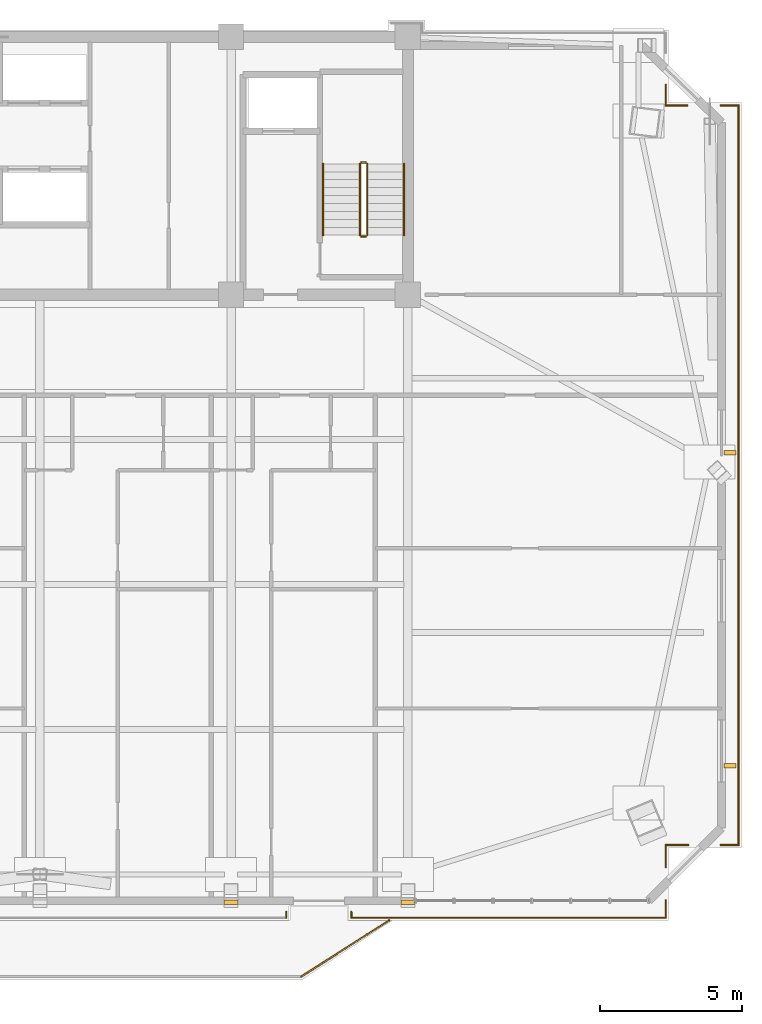
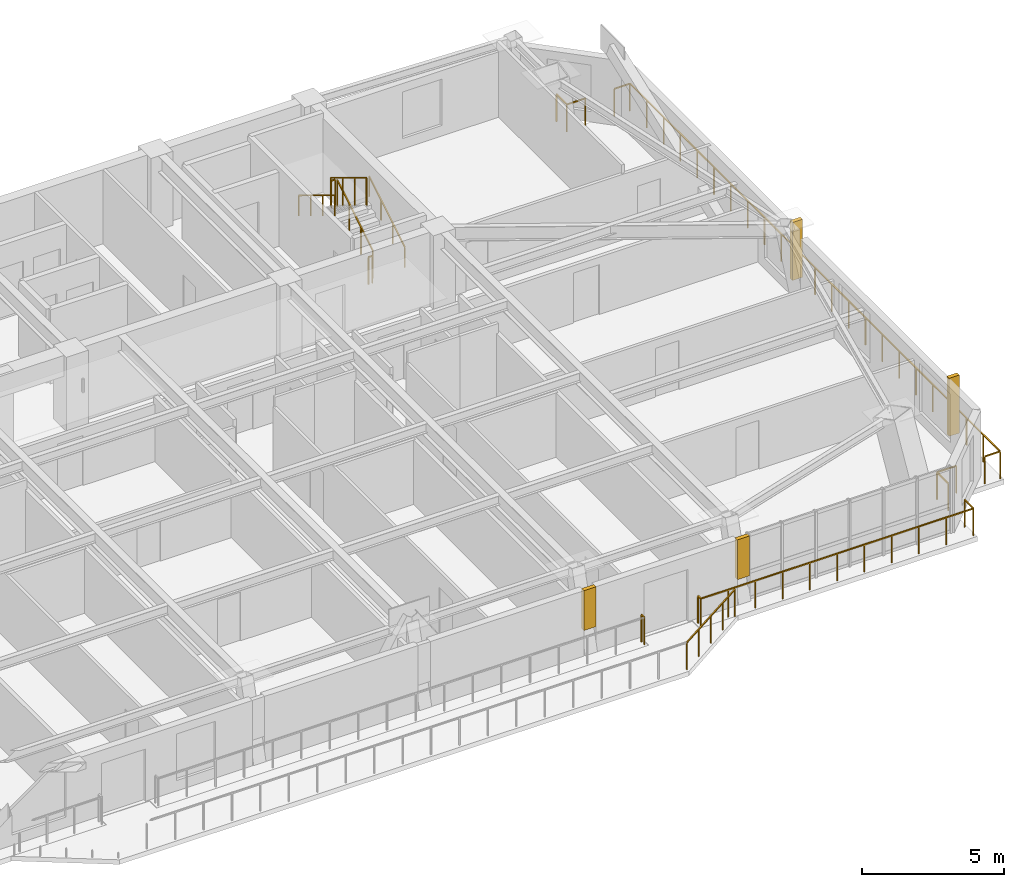
# One storey, part 17 of 18: 18 railings, 2 coverings, 2 shading devices.
"""IFC4 building model written with IfcOpenShell, lengths in metres."""

from ifc_helpers import new_model, si_unit, direction, frame, origin, origin_2d, place, context, subcontext, project, spatial, polyline, rectangle, outline, extrude, source, transform, mapped, material, layer, layer_set, type_object, element, save


model = new_model("IFC4")

# Units and contexts
model_context = context("Model", 3, precision=1e-05, world=origin(), true_north=direction((0.0, 1.0)))
body_context = subcontext(model_context, "Body", "Model", "MODEL_VIEW")
ifc_project = project(units=[si_unit("LENGTHUNIT", "METRE"), si_unit("AREAUNIT", "SQUARE_METRE"), si_unit("VOLUMEUNIT", "CUBIC_METRE"), si_unit("PLANEANGLEUNIT", "RADIAN"), si_unit("MASSUNIT", "GRAM", prefix="KILO")], contexts=[model_context])

# Site, building, storey
site_placement = place(None, origin())
site = spatial("IfcSite", under=ifc_project, at=site_placement, CompositionType="ELEMENT")
building_placement = place(site_placement, origin())
building = spatial("IfcBuilding", under=site, at=building_placement, Name="Giltprow Tower", CompositionType="ELEMENT")
storey_placement = place(building_placement, frame((0.0, 0.0, 265.5)))
storey = spatial("IfcBuildingStorey", under=building, at=storey_placement, Name="L68", CompositionType="ELEMENT", Elevation=265.5)

# Coverings
ifc_material = material(Name="Anodized bronze", Category="metal")
ifc_layer = layer(ifc_material, 0.0400390625, Name="Anodized bronze")
ifc_layer_set = layer_set([ifc_layer], Name="Anodized bronze")
covering_type = type_object("IfcCoveringType", Name="COV-SOFFIT-BRONZE", PredefinedType="CLADDING", material=ifc_layer_set)
covering_1_placement = place(storey_placement, frame((0.0, 0.0, 1.10009765625)))
element("IfcCovering", 1, at=covering_1_placement, inside=storey, type_object=covering_type, Name="L68 Setback Pier Closure Cladding S-4", PredefinedType="CLADDING", context=body_context, shape_type="SweptSolid", body=[
    extrude(outline(polyline([(44.050048828125, 15.905029296875), (44.550048828125, 15.905029296875), (44.550048828125, 16.06494140625), (44.050048828125, 16.06494140625), (44.050048828125, 15.905029296875)])), origin(), (0.0, 0.0, 1.0), 1.71484375),
])
covering_2_placement = place(storey_placement, frame((0.0, 0.0, 1.10009765625)))
element("IfcCovering", 2, at=covering_2_placement, inside=storey, type_object=covering_type, Name="L68 Setback Pier Closure Cladding S-5", PredefinedType="CLADDING", context=body_context, shape_type="SweptSolid", body=[
    extrude(outline(polyline([(50.300048828125, 15.905029296875), (50.800048828125, 15.905029296875), (50.800048828125, 16.06494140625), (50.300048828125, 16.06494140625), (50.300048828125, 15.905029296875)])), origin(), (0.0, 0.0, 1.0), 1.71484375),
])

# Railings
railing_type_1 = type_object("IfcRailingType", Name="RAIL-BALC-GUARD-1200", PredefinedType="BALUSTRADE", material=ifc_material)
railing_1_placement = place(storey_placement, frame((46.780029296875, 13.364990234375, 0.0)))
element("IfcRailing", 3, at=railing_1_placement, inside=storey, type_object=railing_type_1, Name="L68 Waterfront Balcony Balustrade Seg 3", PredefinedType="BALUSTRADE", context=body_context, shape_type="SweptSolid", body=[
    extrude(rectangle(XDim=0.048095703125, YDim=0.048095703125, at=origin_2d()), frame((0.0, 0.0, 1.17578125), z_axis=(0.842755646126, 0.538296313309, 0.0), x_axis=(-0.538296313309, 0.842755646126, 0.0)), (0.0, 0.0, 1.0), 3.67822265625),
    extrude(rectangle(XDim=0.0419921875, YDim=0.0419921875, at=origin_2d()), origin(), (0.0, 0.0, 1.0), 1.15185546875),
    extrude(rectangle(XDim=0.0419921875, YDim=0.0419921875, at=origin_2d()), frame((0.77490234375, 0.4951171875, 0.0)), (0.0, 0.0, 1.0), 1.15185546875),
    extrude(rectangle(XDim=0.0419921875, YDim=0.0419921875, at=origin_2d()), frame((1.5498046875, 0.989990234375, 0.0)), (0.0, 0.0, 1.0), 1.15185546875),
    extrude(rectangle(XDim=0.0419921875, YDim=0.0419921875, at=origin_2d()), frame((2.324951171875, 1.48486328125, 0.0)), (0.0, 0.0, 1.0), 1.15185546875),
    extrude(rectangle(XDim=0.0419921875, YDim=0.0419921875, at=origin_2d()), frame((3.099853515625, 1.97998046875, 0.0)), (0.0, 0.0, 1.0), 1.15185546875),
])
railing_2_placement = place(storey_placement, frame((62.221923828125, 44.1298828125, 0.0)))
element("IfcRailing", 4, at=railing_2_placement, inside=storey, type_object=railing_type_1, Name="L68 Corner Apron Edge Balustrade 1", PredefinedType="BALUSTRADE", context=body_context, shape_type="SweptSolid", body=[
    extrude(rectangle(XDim=0.048095703125, YDim=0.048095703125, at=origin_2d()), frame((0.0, 0.0, 1.17578125), z_axis=(0.0, -1.0, 0.0), x_axis=(1.0, 0.0, 0.0)), (0.0, 0.0, 1.0), 26.116943359375),
    extrude(rectangle(XDim=0.0419921875, YDim=0.0419921875, at=origin_2d()), origin(), (0.0, 0.0, 1.0), 1.15185546875),
    extrude(rectangle(XDim=0.0419921875, YDim=0.0419921875, at=origin_2d()), frame((0.0, -1.18701171875, 0.0)), (0.0, 0.0, 1.0), 1.15185546875),
    extrude(rectangle(XDim=0.0419921875, YDim=0.0419921875, at=origin_2d()), frame((0.0, -2.374267578125, 0.0)), (0.0, 0.0, 1.0), 1.15185546875),
    extrude(rectangle(XDim=0.0419921875, YDim=0.0419921875, at=origin_2d()), frame((0.0, -3.561279296875, 0.0)), (0.0, 0.0, 1.0), 1.15185546875),
    extrude(rectangle(XDim=0.0419921875, YDim=0.0419921875, at=origin_2d()), frame((0.0, -4.74853515625, 0.0)), (0.0, 0.0, 1.0), 1.15185546875),
    extrude(rectangle(XDim=0.0419921875, YDim=0.0419921875, at=origin_2d()), frame((0.0, -5.935546875, 0.0)), (0.0, 0.0, 1.0), 1.15185546875),
    extrude(rectangle(XDim=0.0419921875, YDim=0.0419921875, at=origin_2d()), frame((0.0, -7.122802734375, 0.0)), (0.0, 0.0, 1.0), 1.15185546875),
    extrude(rectangle(XDim=0.0419921875, YDim=0.0419921875, at=origin_2d()), frame((0.0, -8.31005859375, 0.0)), (0.0, 0.0, 1.0), 1.15185546875),
    extrude(rectangle(XDim=0.0419921875, YDim=0.0419921875, at=origin_2d()), frame((0.0, -9.4970703125, 0.0)), (0.0, 0.0, 1.0), 1.15185546875),
    extrude(rectangle(XDim=0.0419921875, YDim=0.0419921875, at=origin_2d()), frame((0.0, -10.68408203125, 0.0)), (0.0, 0.0, 1.0), 1.15185546875),
    extrude(rectangle(XDim=0.0419921875, YDim=0.0419921875, at=origin_2d()), frame((0.0, -11.871337890625, 0.0)), (0.0, 0.0, 1.0), 1.15185546875),
    extrude(rectangle(XDim=0.0419921875, YDim=0.0419921875, at=origin_2d()), frame((0.0, -13.05859375, 0.0)), (0.0, 0.0, 1.0), 1.15185546875),
    extrude(rectangle(XDim=0.0419921875, YDim=0.0419921875, at=origin_2d()), frame((0.0, -14.24560546875, 0.0)), (0.0, 0.0, 1.0), 1.15185546875),
    extrude(rectangle(XDim=0.0419921875, YDim=0.0419921875, at=origin_2d()), frame((0.0, -15.4326171875, 0.0)), (0.0, 0.0, 1.0), 1.15185546875),
    extrude(rectangle(XDim=0.0419921875, YDim=0.0419921875, at=origin_2d()), frame((0.0, -16.619873046875, 0.0)), (0.0, 0.0, 1.0), 1.15185546875),
    extrude(rectangle(XDim=0.0419921875, YDim=0.0419921875, at=origin_2d()), frame((0.0, -17.80712890625, 0.0)), (0.0, 0.0, 1.0), 1.15185546875),
    extrude(rectangle(XDim=0.0419921875, YDim=0.0419921875, at=origin_2d()), frame((0.0, -18.994140625, 0.0)), (0.0, 0.0, 1.0), 1.15185546875),
    extrude(rectangle(XDim=0.0419921875, YDim=0.0419921875, at=origin_2d()), frame((0.0, -20.18115234375, 0.0)), (0.0, 0.0, 1.0), 1.15185546875),
    extrude(rectangle(XDim=0.0419921875, YDim=0.0419921875, at=origin_2d()), frame((0.0, -21.368408203125, 0.0)), (0.0, 0.0, 1.0), 1.15185546875),
    extrude(rectangle(XDim=0.0419921875, YDim=0.0419921875, at=origin_2d()), frame((0.0, -22.5556640625, 0.0)), (0.0, 0.0, 1.0), 1.15185546875),
    extrude(rectangle(XDim=0.0419921875, YDim=0.0419921875, at=origin_2d()), frame((0.0, -23.74267578125, 0.0)), (0.0, 0.0, 1.0), 1.15185546875),
    extrude(rectangle(XDim=0.0419921875, YDim=0.0419921875, at=origin_2d()), frame((0.0, -24.9296875, 0.0)), (0.0, 0.0, 1.0), 1.15185546875),
    extrude(rectangle(XDim=0.0419921875, YDim=0.0419921875, at=origin_2d()), frame((0.0, -26.116943359375, 0.0)), (0.0, 0.0, 1.0), 1.15185546875),
])
railing_3_placement = place(storey_placement, frame((62.221923828125, 18.012939453125, 0.0)))
element("IfcRailing", 5, at=railing_3_placement, inside=storey, type_object=railing_type_1, Name="L68 Corner Apron Edge Balustrade 2", PredefinedType="BALUSTRADE", context=body_context, shape_type="SweptSolid", body=[
    extrude(rectangle(XDim=0.048095703125, YDim=0.048095703125, at=origin_2d()), frame((0.0, 0.0, 1.17578125), z_axis=(-1.0, 0.0, 0.0), x_axis=(0.0, -1.0, 0.0)), (0.0, 0.0, 1.0), 0.620849609375),
    extrude(rectangle(XDim=0.0419921875, YDim=0.0419921875, at=origin_2d()), origin(), (0.0, 0.0, 1.0), 1.15185546875),
    extrude(rectangle(XDim=0.0419921875, YDim=0.0419921875, at=origin_2d()), frame((-0.620849609375, 0.0, 0.0)), (0.0, 0.0, 1.0), 1.15185546875),
])
railing_4_placement = place(storey_placement, frame((60.44091796875, 18.012939453125, 0.0)))
element("IfcRailing", 6, at=railing_4_placement, inside=storey, type_object=railing_type_1, Name="L68 Corner Apron Edge Balustrade 3", PredefinedType="BALUSTRADE", context=body_context, shape_type="SweptSolid", body=[
    extrude(rectangle(XDim=0.048095703125, YDim=0.048095703125, at=origin_2d()), frame((0.0, 0.0, 1.17578125), z_axis=(-1.0, 0.0, 0.0), x_axis=(0.0, -1.0, 0.0)), (0.0, 0.0, 1.0), 0.788818359375),
    extrude(rectangle(XDim=0.0419921875, YDim=0.0419921875, at=origin_2d()), origin(), (0.0, 0.0, 1.0), 1.15185546875),
    extrude(rectangle(XDim=0.0419921875, YDim=0.0419921875, at=origin_2d()), frame((-0.788818359375, 0.0, 0.0)), (0.0, 0.0, 1.0), 1.15185546875),
])
railing_5_placement = place(storey_placement, frame((59.652099609375, 18.012939453125, 0.0)))
element("IfcRailing", 7, at=railing_5_placement, inside=storey, type_object=railing_type_1, Name="L68 Corner Apron Edge Balustrade 4", PredefinedType="BALUSTRADE", context=body_context, shape_type="SweptSolid", body=[
    extrude(rectangle(XDim=0.048095703125, YDim=0.048095703125, at=origin_2d()), frame((0.0, 0.0, 1.17578125), z_axis=(0.0, -1.0, 0.0), x_axis=(1.0, 0.0, 0.0)), (0.0, 0.0, 1.0), 0.788818359375),
    extrude(rectangle(XDim=0.0419921875, YDim=0.0419921875, at=origin_2d()), origin(), (0.0, 0.0, 1.0), 1.15185546875),
    extrude(rectangle(XDim=0.0419921875, YDim=0.0419921875, at=origin_2d()), frame((0.0, -0.788818359375, 0.0)), (0.0, 0.0, 1.0), 1.15185546875),
])
railing_6_placement = place(storey_placement, frame((59.652099609375, 16.06396484375, 0.0)))
element("IfcRailing", 8, at=railing_6_placement, inside=storey, type_object=railing_type_1, Name="L68 Corner Apron Edge Balustrade 5", PredefinedType="BALUSTRADE", context=body_context, shape_type="SweptSolid", body=[
    extrude(rectangle(XDim=0.048095703125, YDim=0.048095703125, at=origin_2d()), frame((0.0, 0.0, 1.17578125), z_axis=(0.0, -1.0, 0.0), x_axis=(1.0, 0.0, 0.0)), (0.0, 0.0, 1.0), 0.618896484375),
    extrude(rectangle(XDim=0.0419921875, YDim=0.0419921875, at=origin_2d()), origin(), (0.0, 0.0, 1.0), 1.15185546875),
    extrude(rectangle(XDim=0.0419921875, YDim=0.0419921875, at=origin_2d()), frame((0.0, -0.618896484375, 0.0)), (0.0, 0.0, 1.0), 1.15185546875),
])
railing_7_placement = place(storey_placement, frame((59.652099609375, 15.445068359375, 0.0)))
element("IfcRailing", 9, at=railing_7_placement, inside=storey, type_object=railing_type_1, Name="L68 Corner Apron Edge Balustrade 6", PredefinedType="BALUSTRADE", context=body_context, shape_type="SweptSolid", body=[
    extrude(rectangle(XDim=0.048095703125, YDim=0.048095703125, at=origin_2d()), frame((0.0, 0.0, 1.17578125), z_axis=(-1.0, 0.0, 0.0), x_axis=(0.0, -1.0, 0.0)), (0.0, 0.0, 1.0), 11.10205078125),
    extrude(rectangle(XDim=0.0419921875, YDim=0.0419921875, at=origin_2d()), origin(), (0.0, 0.0, 1.0), 1.15185546875),
    extrude(rectangle(XDim=0.0419921875, YDim=0.0419921875, at=origin_2d()), frame((-1.110107421875, 0.0, 0.0)), (0.0, 0.0, 1.0), 1.15185546875),
    extrude(rectangle(XDim=0.0419921875, YDim=0.0419921875, at=origin_2d()), frame((-2.220458984375, 0.0, 0.0)), (0.0, 0.0, 1.0), 1.15185546875),
    extrude(rectangle(XDim=0.0419921875, YDim=0.0419921875, at=origin_2d()), frame((-3.33056640625, 0.0, 0.0)), (0.0, 0.0, 1.0), 1.15185546875),
    extrude(rectangle(XDim=0.0419921875, YDim=0.0419921875, at=origin_2d()), frame((-4.44091796875, 0.0, 0.0)), (0.0, 0.0, 1.0), 1.15185546875),
    extrude(rectangle(XDim=0.0419921875, YDim=0.0419921875, at=origin_2d()), frame((-5.551025390625, 0.0, 0.0)), (0.0, 0.0, 1.0), 1.15185546875),
    extrude(rectangle(XDim=0.0419921875, YDim=0.0419921875, at=origin_2d()), frame((-6.6611328125, 0.0, 0.0)), (0.0, 0.0, 1.0), 1.15185546875),
    extrude(rectangle(XDim=0.0419921875, YDim=0.0419921875, at=origin_2d()), frame((-7.771484375, 0.0, 0.0)), (0.0, 0.0, 1.0), 1.15185546875),
    extrude(rectangle(XDim=0.0419921875, YDim=0.0419921875, at=origin_2d()), frame((-8.881591796875, 0.0, 0.0)), (0.0, 0.0, 1.0), 1.15185546875),
    extrude(rectangle(XDim=0.0419921875, YDim=0.0419921875, at=origin_2d()), frame((-9.991943359375, 0.0, 0.0)), (0.0, 0.0, 1.0), 1.15185546875),
    extrude(rectangle(XDim=0.0419921875, YDim=0.0419921875, at=origin_2d()), frame((-11.10205078125, 0.0, 0.0)), (0.0, 0.0, 1.0), 1.15185546875),
])
railing_8_placement = place(storey_placement, frame((48.550048828125, 15.445068359375, 0.0)))
element("IfcRailing", 10, at=railing_8_placement, inside=storey, type_object=railing_type_1, Name="L68 Corner Apron Edge Balustrade 7", PredefinedType="BALUSTRADE", context=body_context, shape_type="SweptSolid", body=[
    extrude(rectangle(XDim=0.048095703125, YDim=0.048095703125, at=origin_2d()), frame((0.0, 0.0, 1.17578125), z_axis=(0.0, 1.0, 0.0), x_axis=(-1.0, 0.0, 0.0)), (0.0, 0.0, 1.0), 0.199951171875),
    extrude(rectangle(XDim=0.0419921875, YDim=0.0419921875, at=origin_2d()), origin(), (0.0, 0.0, 1.0), 1.15185546875),
    extrude(rectangle(XDim=0.0419921875, YDim=0.0419921875, at=origin_2d()), frame((0.0, 0.199951171875, 0.0)), (0.0, 0.0, 1.0), 1.15185546875),
])
railing_9_placement = place(storey_placement, frame((46.25, 15.64501953125, 0.0)))
element("IfcRailing", 11, at=railing_9_placement, inside=storey, type_object=railing_type_1, Name="L68 Corner Apron Edge Balustrade 8", PredefinedType="BALUSTRADE", context=body_context, shape_type="SweptSolid", body=[
    extrude(rectangle(XDim=0.048095703125, YDim=0.048095703125, at=origin_2d()), frame((0.0, 0.0, 1.17578125), z_axis=(0.0, -1.0, 0.0), x_axis=(1.0, 0.0, 0.0)), (0.0, 0.0, 1.0), 0.199951171875),
    extrude(rectangle(XDim=0.0419921875, YDim=0.0419921875, at=origin_2d()), origin(), (0.0, 0.0, 1.0), 1.15185546875),
    extrude(rectangle(XDim=0.0419921875, YDim=0.0419921875, at=origin_2d()), frame((0.0, -0.199951171875, 0.0)), (0.0, 0.0, 1.0), 1.15185546875),
])
railing_10_placement = place(storey_placement, frame((59.652099609375, 44.861083984375, 0.0)))
element("IfcRailing", 12, at=railing_10_placement, inside=storey, type_object=railing_type_1, Name="L68 Corner Apron Edge Balustrade 31", PredefinedType="BALUSTRADE", context=body_context, shape_type="SweptSolid", body=[
    extrude(rectangle(XDim=0.048095703125, YDim=0.048095703125, at=origin_2d()), frame((0.0, 0.0, 1.17578125), z_axis=(0.0, -1.0, 0.0), x_axis=(1.0, 0.0, 0.0)), (0.0, 0.0, 1.0), 0.731201171875),
    extrude(rectangle(XDim=0.0419921875, YDim=0.0419921875, at=origin_2d()), origin(), (0.0, 0.0, 1.0), 1.15185546875),
    extrude(rectangle(XDim=0.0419921875, YDim=0.0419921875, at=origin_2d()), frame((0.0, -0.731201171875, 0.0)), (0.0, 0.0, 1.0), 1.15185546875),
])
railing_11_placement = place(storey_placement, frame((59.652099609375, 44.1298828125, 0.0)))
element("IfcRailing", 13, at=railing_11_placement, inside=storey, type_object=railing_type_1, Name="L68 Corner Apron Edge Balustrade 32", PredefinedType="BALUSTRADE", context=body_context, shape_type="SweptSolid", body=[
    extrude(rectangle(XDim=0.048095703125, YDim=0.048095703125, at=origin_2d()), frame((0.0, 0.0, 1.17578125), z_axis=(1.0, 0.0, 0.0), x_axis=(0.0, 1.0, 0.0)), (0.0, 0.0, 1.0), 0.7578125),
    extrude(rectangle(XDim=0.0419921875, YDim=0.0419921875, at=origin_2d()), origin(), (0.0, 0.0, 1.0), 1.15185546875),
    extrude(rectangle(XDim=0.0419921875, YDim=0.0419921875, at=origin_2d()), frame((0.7578125, 0.0, 0.0)), (0.0, 0.0, 1.0), 1.15185546875),
])
railing_12_placement = place(storey_placement, frame((61.591064453125, 44.1298828125, 0.0)))
element("IfcRailing", 14, at=railing_12_placement, inside=storey, type_object=railing_type_1, Name="L68 Corner Apron Edge Balustrade 33", PredefinedType="BALUSTRADE", context=body_context, shape_type="SweptSolid", body=[
    extrude(rectangle(XDim=0.048095703125, YDim=0.048095703125, at=origin_2d()), frame((0.0, 0.0, 1.17578125), z_axis=(1.0, 0.0, 0.0), x_axis=(0.0, 1.0, 0.0)), (0.0, 0.0, 1.0), 0.630859375),
    extrude(rectangle(XDim=0.0419921875, YDim=0.0419921875, at=origin_2d()), origin(), (0.0, 0.0, 1.0), 1.15185546875),
    extrude(rectangle(XDim=0.0419921875, YDim=0.0419921875, at=origin_2d()), frame((0.630859375, 0.0, 0.0)), (0.0, 0.0, 1.0), 1.15185546875),
])
railing_type_2 = type_object("IfcRailingType", Name="RAIL-STAIR-GUARD-1200", PredefinedType="GUARDRAIL", material=ifc_material)
railing_13_placement = place(storey_placement, frame((49.110107421875, 39.550048828125, 0.169921875)))
element("IfcRailing", 15, at=railing_13_placement, inside=storey, type_object=railing_type_2, Name="L68 ST-3 stair guard 1", PredefinedType="GUARDRAIL", context=body_context, shape_type="SweptSolid", body=[
    extrude(rectangle(XDim=0.048095703125, YDim=0.048095703125, at=origin_2d()), frame((0.0, 0.0, 1.17578125), z_axis=(0.0, 0.85478489116, 0.518982456201), x_axis=(-1.0, 0.0, 0.0)), (0.0, 0.0, 1.0), 2.9482421875),
    extrude(rectangle(XDim=0.0419921875, YDim=0.0419921875, at=origin_2d()), origin(), (0.0, 0.0, 1.0), 1.15185546875),
    extrude(rectangle(XDim=0.0419921875, YDim=0.0419921875, at=origin_2d()), frame((0.0, 0.840087890625, 0.510009765625)), (0.0, 0.0, 1.0), 1.15185546875),
    extrude(rectangle(XDim=0.0419921875, YDim=0.0419921875, at=origin_2d()), frame((0.0, 1.679931640625, 1.02001953125)), (0.0, 0.0, 1.0), 1.15185546875),
    extrude(rectangle(XDim=0.0419921875, YDim=0.0419921875, at=origin_2d()), frame((0.0, 2.52001953125, 1.530029296875)), (0.0, 0.0, 1.0), 1.15185546875),
])
railing_14_placement = place(storey_placement, frame((49.06005859375, 42.1201171875, 1.699951171875)))
element("IfcRailing", 16, at=railing_14_placement, inside=storey, type_object=railing_type_2, Name="L68 ST-3 stair guard 2", PredefinedType="GUARDRAIL", context=body_context, shape_type="SweptSolid", body=[
    extrude(rectangle(XDim=0.048095703125, YDim=0.048095703125, at=origin_2d()), frame((0.0, 0.0, 1.17578125), z_axis=(-1.0, 0.0, 0.0), x_axis=(0.0, -1.0, 0.0)), (0.0, 0.0, 1.0), 0.16015625),
    extrude(rectangle(XDim=0.0419921875, YDim=0.0419921875, at=origin_2d()), origin(), (0.0, 0.0, 1.0), 1.15185546875),
    extrude(rectangle(XDim=0.0419921875, YDim=0.0419921875, at=origin_2d()), frame((-0.16015625, 0.0, 0.0)), (0.0, 0.0, 1.0), 1.15185546875),
])
railing_15_placement = place(storey_placement, frame((48.85009765625, 42.070068359375, 1.8701171875)))
element("IfcRailing", 17, at=railing_15_placement, inside=storey, type_object=railing_type_2, Name="L68 ST-3 stair guard 3", PredefinedType="GUARDRAIL", context=body_context, shape_type="SweptSolid", body=[
    extrude(rectangle(XDim=0.048095703125, YDim=0.048095703125, at=origin_2d()), frame((0.0, 0.0, 1.17578125), z_axis=(0.0, -0.854821627497, 0.518921945155), x_axis=(1.0, 0.0, 0.0)), (0.0, 0.0, 1.0), 2.947998046875),
    extrude(rectangle(XDim=0.0419921875, YDim=0.0419921875, at=origin_2d()), origin(), (0.0, 0.0, 1.0), 1.15185546875),
    extrude(rectangle(XDim=0.0419921875, YDim=0.0419921875, at=origin_2d()), frame((0.0, -0.840087890625, 0.510009765625)), (0.0, 0.0, 1.0), 1.15185546875),
    extrude(rectangle(XDim=0.0419921875, YDim=0.0419921875, at=origin_2d()), frame((0.0, -1.679931640625, 1.019775390625)), (0.0, 0.0, 1.0), 1.15185546875),
    extrude(rectangle(XDim=0.0419921875, YDim=0.0419921875, at=origin_2d()), frame((0.0, -2.52001953125, 1.52978515625)), (0.0, 0.0, 1.0), 1.15185546875),
])
railing_16_placement = place(storey_placement, frame((49.06005859375, 39.5, 0.0)))
element("IfcRailing", 18, at=railing_16_placement, inside=storey, type_object=railing_type_2, Name="L68 ST-3 stair guard 4", PredefinedType="GUARDRAIL", context=body_context, shape_type="SweptSolid", body=[
    extrude(rectangle(XDim=0.048095703125, YDim=0.048095703125, at=origin_2d()), frame((0.0, 0.0, 1.17578125), z_axis=(-1.0, 0.0, 0.0), x_axis=(0.0, -1.0, 0.0)), (0.0, 0.0, 1.0), 0.16015625),
    extrude(rectangle(XDim=0.0419921875, YDim=0.0419921875, at=origin_2d()), origin(), (0.0, 0.0, 1.0), 1.15185546875),
    extrude(rectangle(XDim=0.0419921875, YDim=0.0419921875, at=origin_2d()), frame((-0.16015625, 0.0, 0.0)), (0.0, 0.0, 1.0), 1.15185546875),
])
railing_type_3 = type_object("IfcRailingType", Name="RAIL-STAIR-HAND-900", PredefinedType="HANDRAIL", material=ifc_material)
railing_17_placement = place(storey_placement, frame((50.409912109375, 39.550048828125, 0.169921875)))
element("IfcRailing", 19, at=railing_17_placement, inside=storey, type_object=railing_type_3, Name="L68 ST-3 stair handrail 1", PredefinedType="HANDRAIL", context=body_context, shape_type="SweptSolid", body=[
    extrude(rectangle(XDim=0.048095703125, YDim=0.048095703125, at=origin_2d()), frame((0.0, 0.0, 0.8759765625), z_axis=(0.0, 0.85478489116, 0.518982456201), x_axis=(-1.0, 0.0, 0.0)), (0.0, 0.0, 1.0), 2.9482421875),
    extrude(rectangle(XDim=0.0419921875, YDim=0.0419921875, at=origin_2d()), origin(), (0.0, 0.0, 1.0), 0.851806640625),
    extrude(rectangle(XDim=0.0419921875, YDim=0.0419921875, at=origin_2d()), frame((0.0, 0.840087890625, 0.510009765625)), (0.0, 0.0, 1.0), 0.851806640625),
    extrude(rectangle(XDim=0.0419921875, YDim=0.0419921875, at=origin_2d()), frame((0.0, 1.679931640625, 1.02001953125)), (0.0, 0.0, 1.0), 0.851806640625),
    extrude(rectangle(XDim=0.0419921875, YDim=0.0419921875, at=origin_2d()), frame((0.0, 2.52001953125, 1.530029296875)), (0.0, 0.0, 1.0), 0.851806640625),
])
railing_18_placement = place(storey_placement, frame((47.550048828125, 42.070068359375, 1.8701171875)))
element("IfcRailing", 20, at=railing_18_placement, inside=storey, type_object=railing_type_3, Name="L68 ST-3 stair handrail 2", PredefinedType="HANDRAIL", context=body_context, shape_type="SweptSolid", body=[
    extrude(rectangle(XDim=0.048095703125, YDim=0.048095703125, at=origin_2d()), frame((0.0, 0.0, 0.8759765625), z_axis=(0.0, -0.854821627497, 0.518921945155), x_axis=(1.0, 0.0, 0.0)), (0.0, 0.0, 1.0), 2.947998046875),
    extrude(rectangle(XDim=0.0419921875, YDim=0.0419921875, at=origin_2d()), origin(), (0.0, 0.0, 1.0), 0.851806640625),
    extrude(rectangle(XDim=0.0419921875, YDim=0.0419921875, at=origin_2d()), frame((0.0, -0.840087890625, 0.510009765625)), (0.0, 0.0, 1.0), 0.851806640625),
    extrude(rectangle(XDim=0.0419921875, YDim=0.0419921875, at=origin_2d()), frame((0.0, -1.679931640625, 1.019775390625)), (0.0, 0.0, 1.0), 0.851806640625),
    extrude(rectangle(XDim=0.0419921875, YDim=0.0419921875, at=origin_2d()), frame((0.0, -2.52001953125, 1.52978515625)), (0.0, 0.0, 1.0), 0.851806640625),
])

# Shading devices
shading_device_type = type_object("IfcShadingDeviceType", Name="SHD-FIN-420", PredefinedType="USERDEFINED", material=ifc_material)
shared_shape = source(origin(), body_context, "Body", "SweptSolid", [
    extrude(rectangle(XDim=0.419921875, YDim=0.159912109375, at=origin_2d()), origin(), (0.0, 0.0, 1.0), 2.5),
])
for number, where, z_axis, x_axis, name in (
    (21, (61.922119140625, 20.80810546875, 0.35009765625), (0.0, 0.0, 1.0), (1.0, 0.0, 0.0), "L68 E Bronze Vertical Fin 1-1"),
    (22, (61.922119140625, 31.868896484375, 0.35009765625), (0.0, 0.0, 1.0), (1.0, 0.0, 0.0), "L68 E Bronze Vertical Fin 2-1"),
):
    element("IfcShadingDevice", number, at=place(storey_placement, frame(where, z_axis=z_axis, x_axis=x_axis)), inside=storey, type_object=shading_device_type, Name=name, ObjectType="FIN", PredefinedType="USERDEFINED", context=body_context, shape_type="MappedRepresentation", body=[
        mapped(shared_shape, transform((0.0, 0.0, 0.0), x_axis=(1.0, 0.0, 0.0), y_axis=(0.0, 1.0, 0.0), z_axis=(0.0, 0.0, 1.0), scale=1.0)),
    ])

save(model, "model.ifc")
